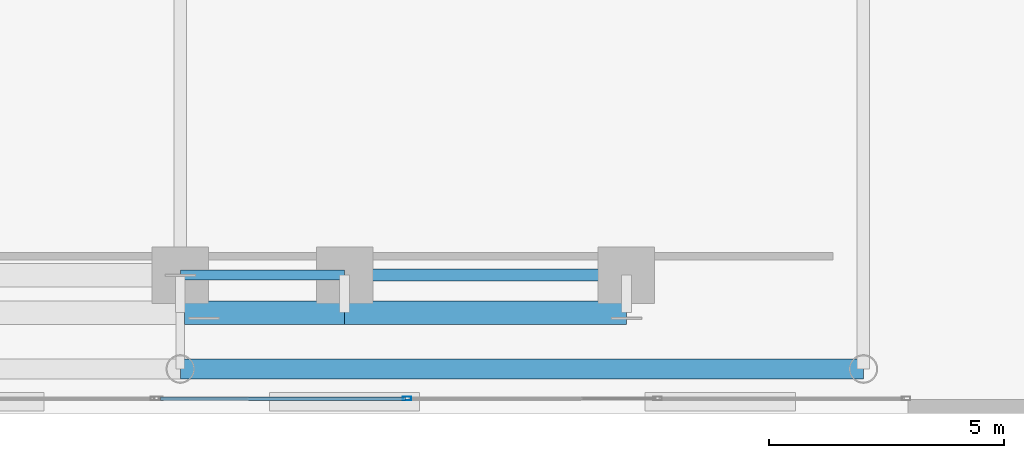
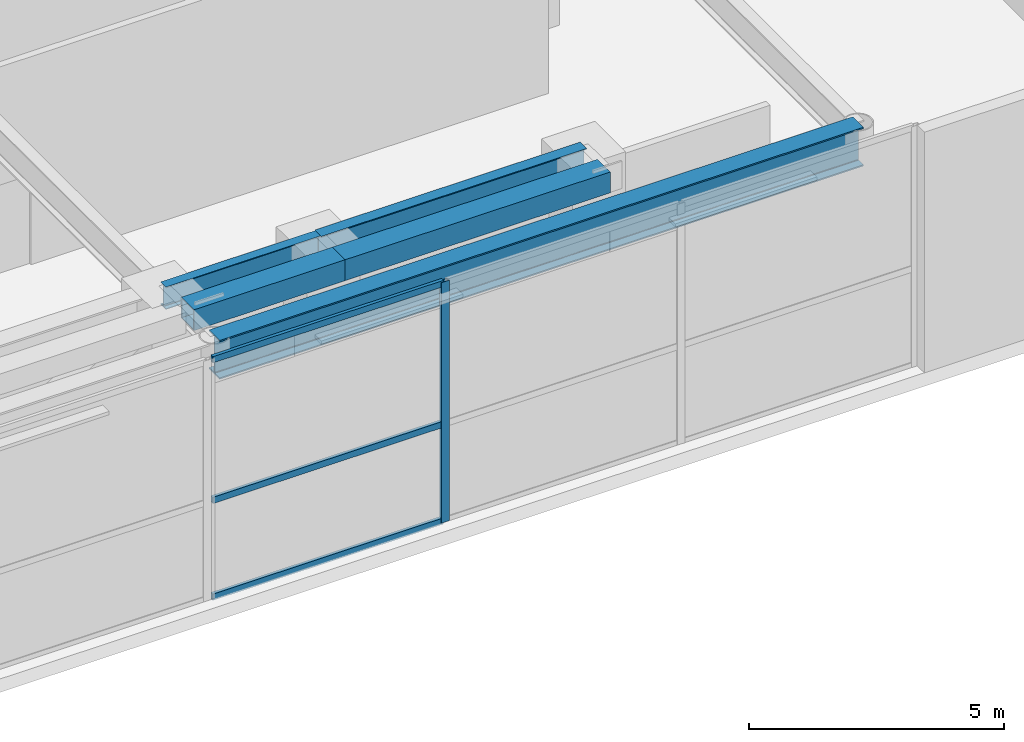
# One storey, part 8 of 29: 5 beams, 4 members, 1 element without a shape of its own.
"""IFC4 building model written with IfcOpenShell, lengths in metres."""

from ifc_helpers import new_model, si_unit, direction, frame, origin, origin_2d, place, context, subcontext, project, spatial, hollow_rectangle, i_section, extrude, source, transform, mapped, material, layer, layer_set, material_profile, profile_set, type_object, element, aggregate, save


model = new_model("IFC4")

# Units and contexts
model_context = context("Model", 3, precision=1e-05, world=origin(), true_north=direction((0.0, 1.0)))
body_context = subcontext(model_context, "Body", "Model", "MODEL_VIEW")
ifc_project = project(units=[si_unit("LENGTHUNIT", "METRE"), si_unit("AREAUNIT", "SQUARE_METRE"), si_unit("VOLUMEUNIT", "CUBIC_METRE"), si_unit("PLANEANGLEUNIT", "RADIAN"), si_unit("MASSUNIT", "GRAM", prefix="KILO")], contexts=[model_context])

# Site, building, storey
site_placement = place(None, origin())
site = spatial("IfcSite", under=ifc_project, at=site_placement, CompositionType="ELEMENT")
building_placement = place(site_placement, origin())
building = spatial("IfcBuilding", under=site, at=building_placement, Name="Ocotamira Hotel", CompositionType="ELEMENT")
storey_placement = place(building_placement, frame((0.0, 0.0, 28.800048828125)))
storey = spatial("IfcBuildingStorey", under=building, at=storey_placement, Name="L06", CompositionType="ELEMENT", Elevation=28.800048828125)

# Beams
ifc_material_1 = material(Name="Steel ASTM A992 Grade 50", Category="steel")
ifc_material_profile_1 = material_profile(ifc_material_1, i_section(OverallWidth=0.41796875, OverallDepth=0.927001953125, WebThickness=0.019287109375, FlangeThickness=0.031982421875, FilletRadius=0.02392578125, at=origin_2d()), Name="W36X231")
ifc_profile_set_1 = profile_set([ifc_material_profile_1], Name="Steel ASTM A992 Grade 50")
beam_type_1 = type_object("IfcBeamType", Name="BM-GIRD-W36X231", PredefinedType="BEAM", material=ifc_profile_set_1)
shared_shape_1 = source(origin(), body_context, "Body", "SweptSolid", [
    extrude(i_section(OverallWidth=0.41796875, OverallDepth=0.927001953125, WebThickness=0.019287109375, FlangeThickness=0.031982421875, FilletRadius=0.02392578125, at=origin_2d()), origin(), (0.0, 0.0, 1.0), 14.550048828125),
])
beam_1_placement = place(storey_placement, frame((40.5, 0.949951171875, 5.286376953125), z_axis=(1.0, 0.0, 0.0), x_axis=(0.0, 1.0, 0.0)))
element("IfcBeam", 1, at=beam_1_placement, inside=storey, type_object=beam_type_1, Name="L06 Girder Y0.95 X40.5-55.05", PredefinedType="BEAM", context=body_context, shape_type="MappedRepresentation", body=[
    mapped(shared_shape_1, transform((0.0, 0.0, 0.0), scale=1.0)),
])
ifc_material_profile_2 = material_profile(ifc_material_1, i_section(OverallWidth=0.256103515625, OverallDepth=0.693115234375, WebThickness=0.014404296875, FlangeThickness=0.023681640625, FilletRadius=0.01611328125, at=origin_2d()), Name="W27X114")
ifc_profile_set_2 = profile_set([ifc_material_profile_2], Name="Steel ASTM A992 Grade 50")
beam_type_2 = type_object("IfcBeamType", Name="BM-PRIM-W27X114", PredefinedType="BEAM", material=ifc_profile_set_2)
shared_shape_2 = source(origin(), body_context, "Body", "SweptSolid", [
    extrude(i_section(OverallWidth=0.256103515625, OverallDepth=0.693115234375, WebThickness=0.014404296875, FlangeThickness=0.023681640625, FilletRadius=0.01611328125, at=origin_2d()), origin(), (0.0, 0.0, 1.0), 6.0),
])
beam_2_placement = place(storey_placement, frame((44.0, 2.949951171875, 5.403564453125), z_axis=(1.0, 0.0, 0.0), x_axis=(0.0, 1.0, 0.0)))
element("IfcBeam", 2, at=beam_2_placement, inside=storey, type_object=beam_type_2, Name="L06 Girder Y2.95 X44-50", PredefinedType="BEAM", context=body_context, shape_type="MappedRepresentation", body=[
    mapped(shared_shape_2, transform((0.0, 0.0, 0.0), scale=1.0)),
])
ifc_material_profile_3 = material_profile(ifc_material_1, i_section(OverallWidth=0.2099609375, OverallDepth=0.537109375, WebThickness=0.010986328125, FlangeThickness=0.017333984375, FilletRadius=0.012939453125, at=origin_2d()), Name="W21X68")
ifc_profile_set_3 = profile_set([ifc_material_profile_3], Name="Steel ASTM A992 Grade 50")
beam_type_3 = type_object("IfcBeamType", Name="BM-SEC-W21X68", PredefinedType="JOIST", material=ifc_profile_set_3)
shared_shape_3 = source(origin(), body_context, "Body", "SweptSolid", [
    extrude(i_section(OverallWidth=0.2099609375, OverallDepth=0.537109375, WebThickness=0.010986328125, FlangeThickness=0.017333984375, FilletRadius=0.012939453125, at=origin_2d()), origin(), (0.0, 0.0, 1.0), 3.5),
])
beam_3_placement = place(storey_placement, frame((40.5, 2.949951171875, 5.4814453125), z_axis=(1.0, 0.0, 0.0), x_axis=(0.0, 1.0, 0.0)))
element("IfcBeam", 3, at=beam_3_placement, inside=storey, type_object=beam_type_3, Name="L06 Girder Y2.95 X40.5-44", PredefinedType="JOIST", context=body_context, shape_type="MappedRepresentation", body=[
    mapped(shared_shape_3, transform((0.0, 0.0, 0.0), scale=1.0)),
])
ifc_material_2 = material(Name="Steel ASTM A500 Grade C", Category="steel")
ifc_material_profile_4 = material_profile(ifc_material_2, hollow_rectangle(XDim=0.5, YDim=0.5, WallThickness=0.02001953125, at=origin_2d()), Name="HSS500X500X20")
ifc_profile_set_4 = profile_set([ifc_material_profile_4], Name="Steel ASTM A500 Grade C")
beam_type_4 = type_object("IfcBeamType", Name="BM-SPAN-HSS500", PredefinedType="USERDEFINED", material=ifc_profile_set_4)
shared_shape_4 = source(origin(), body_context, "Body", "SweptSolid", [
    extrude(hollow_rectangle(XDim=0.5, YDim=0.5, WallThickness=0.02001953125, at=origin_2d()), origin(), (0.0, 0.0, 1.0), 6.0),
])
beam_4_placement = place(storey_placement, frame((44.0, 2.14990234375, 5.5), z_axis=(1.0, 0.0, 0.0), x_axis=(0.0, 1.0, 0.0)))
element("IfcBeam", 4, at=beam_4_placement, inside=storey, type_object=beam_type_4, Name="L06 Edge Spandrel S X44-50", ObjectType="SPANDREL", PredefinedType="USERDEFINED", context=body_context, shape_type="MappedRepresentation", body=[
    mapped(shared_shape_4, transform((0.0, 0.0, 0.0), scale=1.0)),
])
shared_shape_5 = source(origin(), body_context, "Body", "SweptSolid", [
    extrude(hollow_rectangle(XDim=0.5, YDim=0.5, WallThickness=0.02001953125, at=origin_2d()), origin(), (0.0, 0.0, 1.0), 3.410888671875),
])
beam_5_placement = place(storey_placement, frame((40.589111328125, 2.14990234375, 5.5), z_axis=(1.0, 0.0, 0.0), x_axis=(0.0, 1.0, 0.0)))
element("IfcBeam", 5, at=beam_5_placement, inside=storey, type_object=beam_type_4, Name="L06 Edge Spandrel S X40.589-44", ObjectType="SPANDREL", PredefinedType="USERDEFINED", context=body_context, shape_type="MappedRepresentation", body=[
    mapped(shared_shape_5, transform((0.0, 0.0, 0.0), scale=1.0)),
])

# Curtain wall, members
ifc_material_3 = material(Name="Anodised pale-metal aluminium and solar glass", Category="aluminium")
ifc_layer = layer(ifc_material_3, 0.239990234375)
ifc_layer_set = layer_set([ifc_layer], Name="Anodised pale-metal aluminium and solar glass")
curtain_wall_type = type_object("IfcCurtainWallType", Name="CW-SYS5-SKY", PredefinedType="NOTDEFINED", material=ifc_layer_set)
curtain_wall_placement = place(storey_placement, origin())
curtain_wall = element("IfcCurtainWall", 6, at=curtain_wall_placement, inside=storey, type_object=curtain_wall_type, Name="L06 Curtain Wall CW-5 CW-L06-S3", PredefinedType="NOTDEFINED")
ifc_material_4 = material(Name="Anodised pale-metal aluminium 6063-T6", Category="aluminium")
ifc_material_profile_5 = material_profile(ifc_material_4, hollow_rectangle(XDim=0.074951171875, YDim=0.14990234375, WallThickness=0.006103515625, at=origin_2d()), Name="HSS150X75X6")
ifc_profile_set_5 = profile_set([ifc_material_profile_5], Name="Anodised pale-metal aluminium 6063-T6")
member_type_1 = type_object("IfcMemberType", Name="CWT-150X75", PredefinedType="USERDEFINED", material=ifc_profile_set_5)
shared_shape_6 = source(origin(), body_context, "Body", "SweptSolid", [
    extrude(hollow_rectangle(XDim=0.074951171875, YDim=0.14990234375, WallThickness=0.006103515625, at=origin_2d()), origin(), (0.0, 0.0, 1.0), 5.213134765625),
])
member_1_placement = place(storey_placement, frame((40.080078125, 0.320068359375, 0.037353515625), z_axis=(1.0, 0.0, 0.0), x_axis=(0.0, 1.0, 0.0)))
member_1 = element("IfcMember", 7, at=member_1_placement, type_object=member_type_1, Name="CW-5 transom 1.1", ObjectType="TRANSOM", PredefinedType="USERDEFINED", context=body_context, shape_type="MappedRepresentation", body=[
    mapped(shared_shape_6, transform((0.0, 0.0, 0.0), scale=1.0)),
])
member_2_placement = place(storey_placement, frame((40.080078125, 0.320068359375, 2.349853515625), z_axis=(1.0, 0.0, 0.0), x_axis=(0.0, 1.0, 0.0)))
member_2 = element("IfcMember", 8, at=member_2_placement, type_object=member_type_1, Name="CW-5 transom 1.2", ObjectType="TRANSOM", PredefinedType="USERDEFINED", context=body_context, shape_type="MappedRepresentation", body=[
    mapped(shared_shape_6, transform((0.0, 0.0, 0.0), scale=1.0)),
])
member_3_placement = place(storey_placement, frame((40.080078125, 0.320068359375, 5.71240234375), z_axis=(1.0, 0.0, 0.0), x_axis=(0.0, 1.0, 0.0)))
member_3 = element("IfcMember", 9, at=member_3_placement, type_object=member_type_1, Name="CW-5 transom 1.3", ObjectType="TRANSOM", PredefinedType="USERDEFINED", context=body_context, shape_type="MappedRepresentation", body=[
    mapped(shared_shape_6, transform((0.0, 0.0, 0.0), scale=1.0)),
])
ifc_material_profile_6 = material_profile(ifc_material_4, hollow_rectangle(XDim=0.080078125, YDim=0.179931640625, WallThickness=0.006103515625, at=origin_2d()), Name="HSS180X80X6")
ifc_profile_set_6 = profile_set([ifc_material_profile_6], Name="Anodised pale-metal aluminium 6063-T6")
member_type_2 = type_object("IfcMemberType", Name="CWM-180X75", PredefinedType="MULLION", material=ifc_profile_set_6)
shared_shape_7 = source(origin(), body_context, "Body", "SweptSolid", [
    extrude(hollow_rectangle(XDim=0.080078125, YDim=0.179931640625, WallThickness=0.006103515625, at=origin_2d()), origin(), (0.0, 0.0, 1.0), 5.75),
])
member_4_placement = place(storey_placement, frame((45.333251953125, 0.320068359375, 0.0), z_axis=(0.0, 0.0, 1.0), x_axis=(0.0, 1.0, 0.0)))
member_4 = element("IfcMember", 10, at=member_4_placement, type_object=member_type_2, Name="CW-5 mullion 2", PredefinedType="MULLION", context=body_context, shape_type="MappedRepresentation", body=[
    mapped(shared_shape_7, transform((0.0, 0.0, 0.0), scale=1.0)),
])
aggregate(curtain_wall, [member_4, member_1, member_2, member_3])

save(model, "model.ifc")
